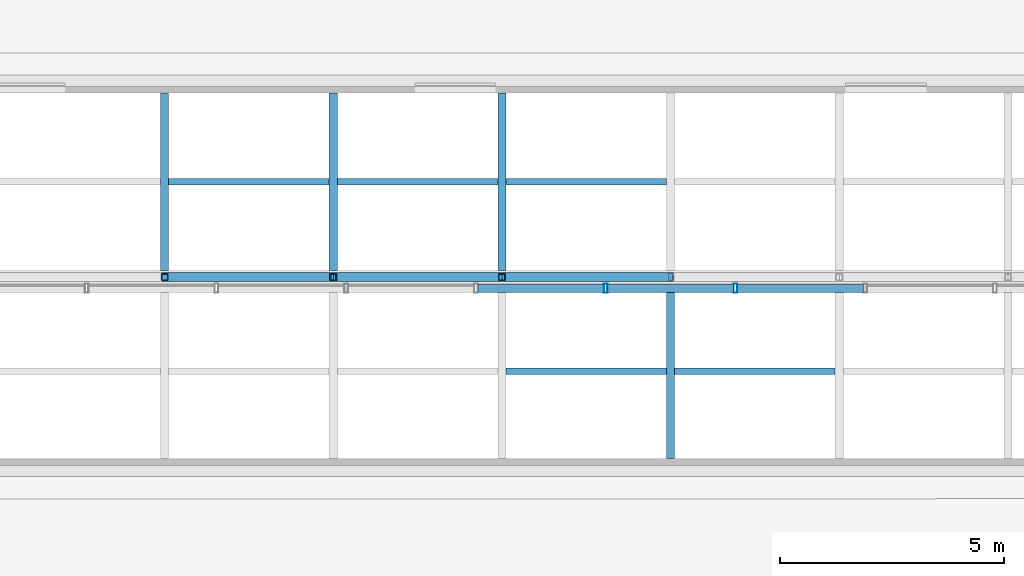
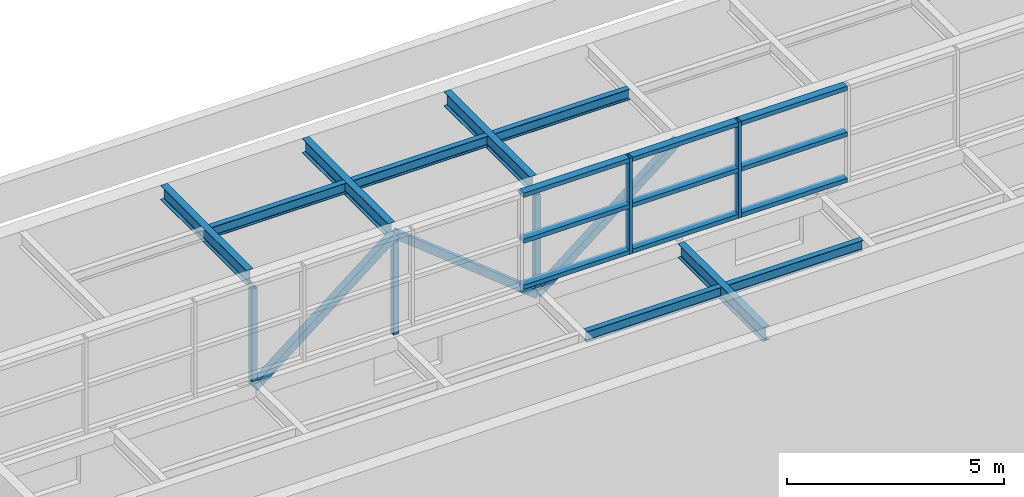
# One storey, part 51 of 72: 22 members, 4 beams, 1 element without a shape of its own.
"""IFC4 building model written with IfcOpenShell, lengths in metres."""

from ifc_helpers import new_model, si_unit, direction, frame, origin, origin_2d, place, context, subcontext, project, spatial, hollow_rectangle, i_section, extrude, material, layer, layer_set, material_profile, profile_set, type_object, element, aggregate, save


model = new_model("IFC4")

# Units and contexts
model_context = context("Model", 3, precision=1e-05, world=origin(), true_north=direction((0.0, 1.0)))
body_context = subcontext(model_context, "Body", "Model", "MODEL_VIEW")
ifc_project = project(units=[si_unit("LENGTHUNIT", "METRE"), si_unit("AREAUNIT", "SQUARE_METRE"), si_unit("VOLUMEUNIT", "CUBIC_METRE"), si_unit("PLANEANGLEUNIT", "RADIAN"), si_unit("MASSUNIT", "GRAM", prefix="KILO")], contexts=[model_context])

# Site, building, storey
site_placement = place(None, origin())
site = spatial("IfcSite", under=ifc_project, at=site_placement, CompositionType="ELEMENT")
building_placement = place(site_placement, origin())
building = spatial("IfcBuilding", under=site, at=building_placement, Name="Nzadi Deep Aquarium and Research Tower", CompositionType="ELEMENT")
storey_placement = place(building_placement, frame((0.0, 0.0, 31.89990234375)))
storey = spatial("IfcBuildingStorey", under=building, at=storey_placement, Name="L05", CompositionType="ELEMENT", Elevation=31.89990234375)

# Members
ifc_material_1 = material(Name="Steel S355", Category="steel")
ifc_material_profile_1 = material_profile(ifc_material_1, i_section(OverallWidth=0.14990234375, OverallDepth=0.300048828125, WebThickness=0.007080078125, FlangeThickness=0.0107421875, FilletRadius=0.014892578125, at=origin_2d()))
ifc_profile_set_1 = profile_set([ifc_material_profile_1], Name="Steel S355")
member_type_1 = type_object("IfcMemberType", Name="IPE 300", PredefinedType="PURLIN", material=ifc_profile_set_1)
for number, where, z_axis, x_axis, name in (
    (1, (25.1298828125, 133.949951171875, 5.650146484375), (1.0, 0.0, 0.0), (0.0, 1.0, 0.0), "MB-HL-ROOF-SPU-4"),
    (2, (28.889892578125, 133.949951171875, 5.650146484375), (1.0, 0.0, 0.0), (0.0, 1.0, 0.0), "MB-HL-ROOF-SPU-5"),
):
    element("IfcMember", number, at=place(storey_placement, frame(where, z_axis=z_axis, x_axis=x_axis)), inside=storey, type_object=member_type_1, Name=name, PredefinedType="PURLIN", context=body_context, shape_type="SweptSolid", body=[
        extrude(i_section(OverallWidth=0.14990234375, OverallDepth=0.300048828125, WebThickness=0.007080078125, FlangeThickness=0.0107421875, FilletRadius=0.014892578125, at=origin_2d()), origin(), (0.0, 0.0, 1.0), 3.580078125),
    ])
for number, where, z_axis, x_axis, name in (
    (3, (17.610107421875, 138.175048828125, 8.650146484375), (1.0, 0.0, 0.0), (0.0, 1.0, 0.0), "MB-HL-ROOF-NPU-2"),
    (4, (21.3701171875, 138.175048828125, 8.650146484375), (1.0, 0.0, 0.0), (0.0, 1.0, 0.0), "MB-HL-ROOF-NPU-3"),
):
    element("IfcMember", number, at=place(storey_placement, frame(where, z_axis=z_axis, x_axis=x_axis)), inside=storey, type_object=member_type_1, Name=name, PredefinedType="PURLIN", context=body_context, shape_type="SweptSolid", body=[
        extrude(i_section(OverallWidth=0.14990234375, OverallDepth=0.300048828125, WebThickness=0.007080078125, FlangeThickness=0.0107421875, FilletRadius=0.014892578125, at=origin_2d()), origin(), (0.0, 0.0, 1.0), 3.579833984375),
    ])
member_1_placement = place(storey_placement, frame((25.1298828125, 138.175048828125, 8.650146484375), z_axis=(1.0, 0.0, 0.0), x_axis=(0.0, 1.0, 0.0)))
element("IfcMember", 5, at=member_1_placement, inside=storey, type_object=member_type_1, Name="MB-HL-ROOF-NPU-4", PredefinedType="PURLIN", context=body_context, shape_type="SweptSolid", body=[
    extrude(i_section(OverallWidth=0.14990234375, OverallDepth=0.300048828125, WebThickness=0.007080078125, FlangeThickness=0.0107421875, FilletRadius=0.014892578125, at=origin_2d()), origin(), (0.0, 0.0, 1.0), 3.580078125),
])

# Beams
ifc_material_2 = material(Name="Steel S355", Category="steel")
ifc_material_profile_2 = material_profile(ifc_material_2, i_section(OverallWidth=0.179931640625, OverallDepth=0.39990234375, WebThickness=0.008544921875, FlangeThickness=0.013427734375, FilletRadius=0.02099609375, at=origin_2d()))
ifc_profile_set_2 = profile_set([ifc_material_profile_2], Name="Steel S355")
beam_type = type_object("IfcBeamType", Name="IPE 400", PredefinedType="BEAM", material=ifc_profile_set_2)
for number, where, z_axis, x_axis, name in (
    (6, (17.52001953125, 136.199951171875, 8.60009765625), (0.0, 1.0, 0.0), (-1.0, 0.0, 0.0), "B-HL-ROOF-H2"),
    (7, (21.280029296875, 136.199951171875, 8.60009765625), (0.0, 1.0, 0.0), (-1.0, 0.0, 0.0), "B-HL-ROOF-H3"),
    (8, (25.0400390625, 136.199951171875, 8.60009765625), (0.0, 1.0, 0.0), (-1.0, 0.0, 0.0), "B-HL-ROOF-H4"),
):
    element("IfcBeam", number, at=place(storey_placement, frame(where, z_axis=z_axis, x_axis=x_axis)), inside=storey, type_object=beam_type, Name=name, PredefinedType="BEAM", context=body_context, shape_type="SweptSolid", body=[
        extrude(i_section(OverallWidth=0.179931640625, OverallDepth=0.39990234375, WebThickness=0.008544921875, FlangeThickness=0.013427734375, FilletRadius=0.02099609375, at=origin_2d()), origin(), (0.0, 0.0, 1.0), 3.949951171875),
    ])
beam_placement = place(storey_placement, frame((28.800048828125, 132.0, 5.60009765625), z_axis=(0.0, 1.0, 0.0), x_axis=(-1.0, 0.0, 0.0)))
element("IfcBeam", 9, at=beam_placement, inside=storey, type_object=beam_type, Name="B-HL-ROOF-G5", PredefinedType="BEAM", context=body_context, shape_type="SweptSolid", body=[
    extrude(i_section(OverallWidth=0.179931640625, OverallDepth=0.39990234375, WebThickness=0.008544921875, FlangeThickness=0.013427734375, FilletRadius=0.02099609375, at=origin_2d()), origin(), (0.0, 0.0, 1.0), 3.89990234375),
])

# Curtain wall, members
ifc_material_3 = material(Name="Aluminium glazing frame tall", Category="aluminium")
ifc_layer = layer(ifc_material_3, 0.199951171875)
ifc_layer_set = layer_set([ifc_layer], Name="Aluminium glazing frame tall")
curtain_wall_type = type_object("IfcCurtainWallType", Name="Curtain wall Clerestory Tall 200", PredefinedType="NOTDEFINED", material=ifc_layer_set)
curtain_wall_placement = place(storey_placement, origin())
curtain_wall = element("IfcCurtainWall", 10, at=curtain_wall_placement, inside=storey, type_object=curtain_wall_type, Name="Events hall clerestory glazing", PredefinedType="NOTDEFINED")
ifc_material_4 = material(Name="Aluminium glazing frame tall", Category="aluminium")
ifc_material_profile_3 = material_profile(ifc_material_4, hollow_rectangle(XDim=0.199951171875, YDim=0.080078125, WallThickness=0.0048828125, at=origin_2d()))
ifc_profile_set_3 = profile_set([ifc_material_profile_3], Name="Aluminium glazing frame tall")
member_type_2 = type_object("IfcMemberType", Name="Mullion 80x200 Clerestory Tall", PredefinedType="MULLION", material=ifc_profile_set_3)
member_2_placement = place(storey_placement, frame((27.353759765625, 135.800048828125, 6.10009765625), z_axis=(0.0, 0.0, 1.0), x_axis=(0.0, 1.0, 0.0)))
member_2 = element("IfcMember", 11, at=member_2_placement, type_object=member_type_2, Name="CW259 mullion 7", PredefinedType="MULLION", context=body_context, shape_type="SweptSolid", body=[
    extrude(hollow_rectangle(XDim=0.199951171875, YDim=0.080078125, WallThickness=0.0048828125, at=origin_2d()), origin(), (0.0, 0.0, 1.0), 2.699951171875),
])
member_3_placement = place(storey_placement, frame((30.24609375, 135.800048828125, 6.10009765625), z_axis=(0.0, 0.0, 1.0), x_axis=(0.0, 1.0, 0.0)))
member_3 = element("IfcMember", 12, at=member_3_placement, type_object=member_type_2, Name="CW259 mullion 8", PredefinedType="MULLION", context=body_context, shape_type="SweptSolid", body=[
    extrude(hollow_rectangle(XDim=0.199951171875, YDim=0.080078125, WallThickness=0.0048828125, at=origin_2d()), origin(), (0.0, 0.0, 1.0), 2.699951171875),
])

# Members
ifc_material_5 = material(Name="Steel S355", Category="steel")
ifc_material_profile_4 = material_profile(ifc_material_5, hollow_rectangle(XDim=0.14990234375, YDim=0.14990234375, WallThickness=0.008056640625, at=origin_2d()))
ifc_profile_set_4 = profile_set([ifc_material_profile_4], Name="Steel S355")
member_type_3 = type_object("IfcMemberType", Name="RHS 150x150x8 post", PredefinedType="POST", material=ifc_profile_set_4)
for number, where, z_axis, x_axis, name in (
    (13, (17.52001953125, 136.050048828125, 5.800048828125), (0.0, 0.0, 1.0), (1.0, 0.0, 0.0), "MB-HL-STEP-V2"),
    (14, (21.280029296875, 136.050048828125, 5.800048828125), (0.0, 0.0, 1.0), (1.0, 0.0, 0.0), "MB-HL-STEP-V3"),
    (15, (25.0400390625, 136.050048828125, 5.800048828125), (0.0, 0.0, 1.0), (1.0, 0.0, 0.0), "MB-HL-STEP-V4"),
):
    element("IfcMember", number, at=place(storey_placement, frame(where, z_axis=z_axis, x_axis=x_axis)), inside=storey, type_object=member_type_3, Name=name, PredefinedType="POST", context=body_context, shape_type="SweptSolid", body=[
        extrude(hollow_rectangle(XDim=0.14990234375, YDim=0.14990234375, WallThickness=0.008056640625, at=origin_2d()), origin(), (0.0, 0.0, 1.0), 2.60009765625),
    ])
ifc_material_6 = material(Name="Steel S355", Category="steel")
ifc_material_profile_5 = material_profile(ifc_material_6, hollow_rectangle(XDim=0.199951171875, YDim=0.199951171875, WallThickness=0.011962890625, at=origin_2d()))
ifc_profile_set_5 = profile_set([ifc_material_profile_5], Name="Steel S355")
member_type_4 = type_object("IfcMemberType", Name="RHS 200x200x12 brace", PredefinedType="BRACE", material=ifc_profile_set_5)
for number, where, z_axis, x_axis, name in (
    (16, (17.52001953125, 136.050048828125, 5.60009765625), (0.781680232216, 0.0, 0.623679416497), (0.0, 1.0, 0.0), "MB-HL-STEP-D3"),
    (17, (21.280029296875, 136.050048828125, 8.60009765625), (0.781680232216, 0.0, -0.623679416497), (0.0, 1.0, 0.0), "MB-HL-STEP-D4"),
    (18, (25.0400390625, 136.050048828125, 5.60009765625), (0.781680232216, 0.0, 0.623679416497), (0.0, 1.0, 0.0), "MB-HL-STEP-D5"),
):
    element("IfcMember", number, at=place(storey_placement, frame(where, z_axis=z_axis, x_axis=x_axis)), inside=storey, type_object=member_type_4, Name=name, PredefinedType="BRACE", context=body_context, shape_type="SweptSolid", body=[
        extrude(hollow_rectangle(XDim=0.199951171875, YDim=0.199951171875, WallThickness=0.011962890625, at=origin_2d()), origin(), (0.0, 0.0, 1.0), 4.81005859375),
    ])

# Member
ifc_material_7 = material(Name="Aluminium glazing frame tall", Category="aluminium")
ifc_material_profile_6 = material_profile(ifc_material_7, hollow_rectangle(XDim=0.199951171875, YDim=0.1201171875, WallThickness=0.0048828125, at=origin_2d()))
ifc_profile_set_6 = profile_set([ifc_material_profile_6], Name="Aluminium glazing frame tall")
member_type_5 = type_object("IfcMemberType", Name="Transom 120x200 Clerestory Tall", PredefinedType="MULLION", material=ifc_profile_set_6)
member_4_placement = place(storey_placement, frame((24.50146484375, 135.800048828125, 6.16015625), z_axis=(1.0, 0.0, 0.0), x_axis=(0.0, 1.0, 0.0)))
member_4 = element("IfcMember", 19, at=member_4_placement, type_object=member_type_5, Name="CW259 transom 6.1", PredefinedType="MULLION", context=body_context, shape_type="SweptSolid", body=[
    extrude(hollow_rectangle(XDim=0.199951171875, YDim=0.1201171875, WallThickness=0.0048828125, at=origin_2d()), origin(), (0.0, 0.0, 1.0), 2.8125),
])

member_5_placement = place(storey_placement, frame((24.50146484375, 135.800048828125, 7.4501953125), z_axis=(1.0, 0.0, 0.0), x_axis=(0.0, 1.0, 0.0)))
member_5 = element("IfcMember", 20, at=member_5_placement, type_object=member_type_5, Name="CW259 transom 6.2", PredefinedType="MULLION", context=body_context, shape_type="SweptSolid", body=[
    extrude(hollow_rectangle(XDim=0.199951171875, YDim=0.1201171875, WallThickness=0.0048828125, at=origin_2d()), origin(), (0.0, 0.0, 1.0), 2.8125),
])

member_6_placement = place(storey_placement, frame((24.50146484375, 135.800048828125, 8.739990234375), z_axis=(1.0, 0.0, 0.0), x_axis=(0.0, 1.0, 0.0)))
member_6 = element("IfcMember", 21, at=member_6_placement, type_object=member_type_5, Name="CW259 transom 6.3", PredefinedType="MULLION", context=body_context, shape_type="SweptSolid", body=[
    extrude(hollow_rectangle(XDim=0.199951171875, YDim=0.1201171875, WallThickness=0.0048828125, at=origin_2d()), origin(), (0.0, 0.0, 1.0), 2.8125),
])

member_7_placement = place(storey_placement, frame((27.393798828125, 135.800048828125, 6.16015625), z_axis=(1.0, 0.0, 0.0), x_axis=(0.0, 1.0, 0.0)))
member_7 = element("IfcMember", 22, at=member_7_placement, type_object=member_type_5, Name="CW259 transom 7.1", PredefinedType="MULLION", context=body_context, shape_type="SweptSolid", body=[
    extrude(hollow_rectangle(XDim=0.199951171875, YDim=0.1201171875, WallThickness=0.0048828125, at=origin_2d()), origin(), (0.0, 0.0, 1.0), 2.812255859375),
])

member_8_placement = place(storey_placement, frame((27.393798828125, 135.800048828125, 7.4501953125), z_axis=(1.0, 0.0, 0.0), x_axis=(0.0, 1.0, 0.0)))
member_8 = element("IfcMember", 23, at=member_8_placement, type_object=member_type_5, Name="CW259 transom 7.2", PredefinedType="MULLION", context=body_context, shape_type="SweptSolid", body=[
    extrude(hollow_rectangle(XDim=0.199951171875, YDim=0.1201171875, WallThickness=0.0048828125, at=origin_2d()), origin(), (0.0, 0.0, 1.0), 2.812255859375),
])

member_9_placement = place(storey_placement, frame((27.393798828125, 135.800048828125, 8.739990234375), z_axis=(1.0, 0.0, 0.0), x_axis=(0.0, 1.0, 0.0)))
member_9 = element("IfcMember", 24, at=member_9_placement, type_object=member_type_5, Name="CW259 transom 7.3", PredefinedType="MULLION", context=body_context, shape_type="SweptSolid", body=[
    extrude(hollow_rectangle(XDim=0.199951171875, YDim=0.1201171875, WallThickness=0.0048828125, at=origin_2d()), origin(), (0.0, 0.0, 1.0), 2.812255859375),
])

member_10_placement = place(storey_placement, frame((30.2861328125, 135.800048828125, 6.16015625), z_axis=(1.0, 0.0, 0.0), x_axis=(0.0, 1.0, 0.0)))
member_10 = element("IfcMember", 25, at=member_10_placement, type_object=member_type_5, Name="CW259 transom 8.1", PredefinedType="MULLION", context=body_context, shape_type="SweptSolid", body=[
    extrude(hollow_rectangle(XDim=0.199951171875, YDim=0.1201171875, WallThickness=0.0048828125, at=origin_2d()), origin(), (0.0, 0.0, 1.0), 2.812255859375),
])

member_11_placement = place(storey_placement, frame((30.2861328125, 135.800048828125, 7.4501953125), z_axis=(1.0, 0.0, 0.0), x_axis=(0.0, 1.0, 0.0)))
member_11 = element("IfcMember", 26, at=member_11_placement, type_object=member_type_5, Name="CW259 transom 8.2", PredefinedType="MULLION", context=body_context, shape_type="SweptSolid", body=[
    extrude(hollow_rectangle(XDim=0.199951171875, YDim=0.1201171875, WallThickness=0.0048828125, at=origin_2d()), origin(), (0.0, 0.0, 1.0), 2.812255859375),
])

member_12_placement = place(storey_placement, frame((30.2861328125, 135.800048828125, 8.739990234375), z_axis=(1.0, 0.0, 0.0), x_axis=(0.0, 1.0, 0.0)))
member_12 = element("IfcMember", 27, at=member_12_placement, type_object=member_type_5, Name="CW259 transom 8.3", PredefinedType="MULLION", context=body_context, shape_type="SweptSolid", body=[
    extrude(hollow_rectangle(XDim=0.199951171875, YDim=0.1201171875, WallThickness=0.0048828125, at=origin_2d()), origin(), (0.0, 0.0, 1.0), 2.812255859375),
])

aggregate(curtain_wall, [member_2, member_3, member_4, member_5, member_6, member_7, member_8, member_9, member_10, member_11, member_12])

save(model, "model.ifc")
